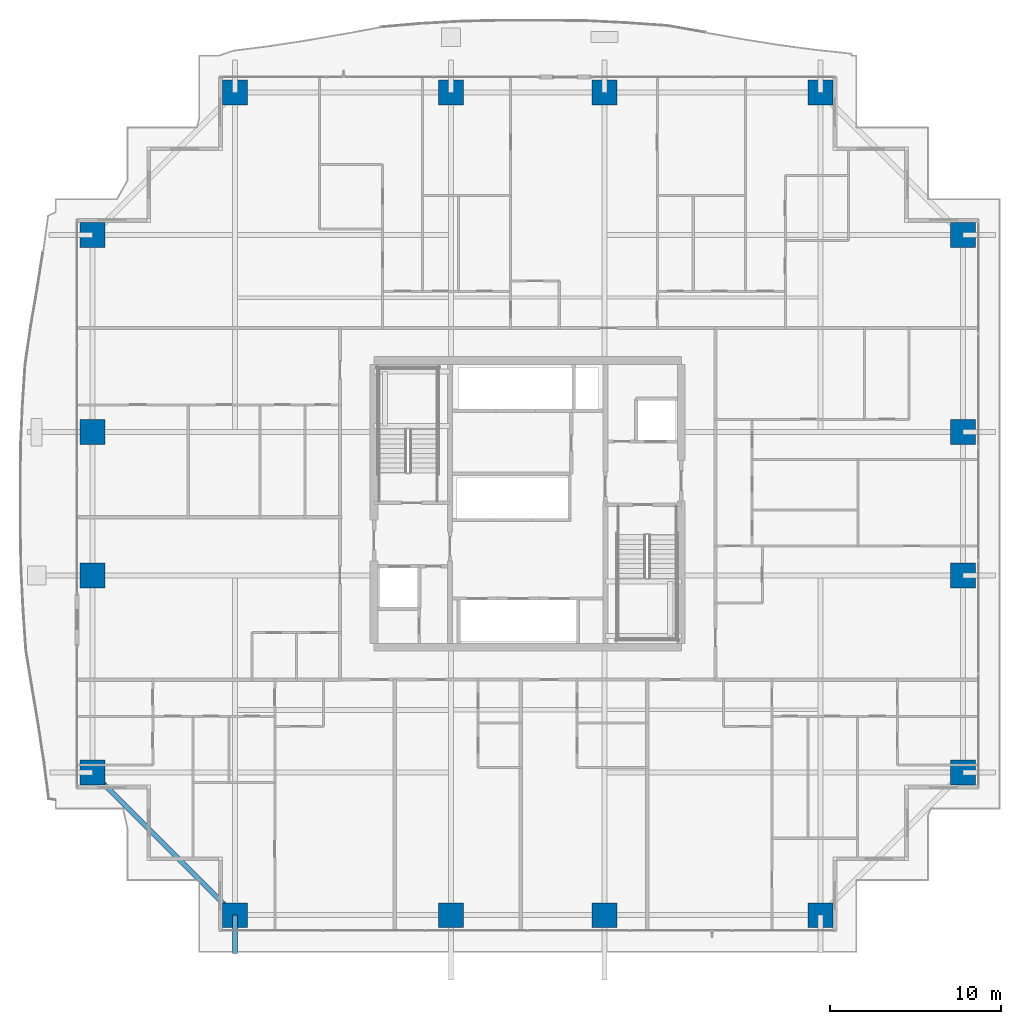
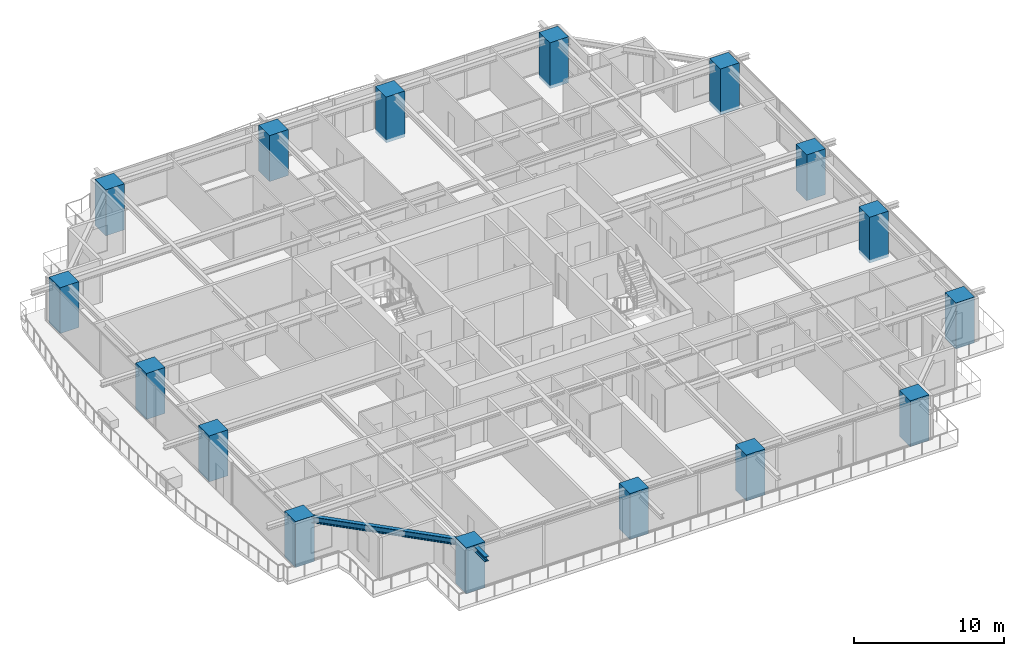
# One storey, part 1 of 36: 16 columns, 2 beams.
"""IFC4 building model written with IfcOpenShell, lengths in metres."""

from ifc_helpers import new_model, si_unit, direction, frame, origin, origin_2d, place, context, subcontext, project, spatial, rectangle, i_section, extrude, source, transform, mapped, material, material_profile, profile_set, type_object, element, save


model = new_model("IFC4")

# Units and contexts
model_context = context("Model", 3, precision=1e-05, world=origin(), true_north=direction((0.0, 1.0)))
body_context = subcontext(model_context, "Body", "Model", "MODEL_VIEW")
ifc_project = project(units=[si_unit("LENGTHUNIT", "METRE"), si_unit("AREAUNIT", "SQUARE_METRE"), si_unit("VOLUMEUNIT", "CUBIC_METRE"), si_unit("PLANEANGLEUNIT", "RADIAN"), si_unit("MASSUNIT", "GRAM", prefix="KILO")], contexts=[model_context])

# Site, building, storey
site_placement = place(None, origin())
site = spatial("IfcSite", under=ifc_project, at=site_placement, CompositionType="ELEMENT")
building_placement = place(site_placement, origin())
building = spatial("IfcBuilding", under=site, at=building_placement, Name="Serunith Strait Residences", CompositionType="ELEMENT")
storey_placement = place(building_placement, frame((0.0, 0.0, 86.699951171875)))
storey = spatial("IfcBuildingStorey", under=building, at=storey_placement, Name="L21", CompositionType="ELEMENT", Elevation=86.699951171875)

# Columns
ifc_material_1 = material(Name="Concrete C90/105", Category="concrete")
ifc_material_profile_1 = material_profile(ifc_material_1, rectangle(XDim=1.449951171875, YDim=1.449951171875, at=origin_2d()), Name="RC 1450x1450")
ifc_profile_set_1 = profile_set([ifc_material_profile_1], Name="Concrete C90/105")
column_type = type_object("IfcColumnType", Name="COL-RC-1450", PredefinedType="COLUMN", material=ifc_profile_set_1)
shared_shape_1 = source(origin(), body_context, "Body", "SweptSolid", [
    extrude(rectangle(XDim=1.449951171875, YDim=1.449951171875, at=origin_2d()), origin(), (0.0, 0.0, 1.0), 3.75),
])
for number, where, z_axis, x_axis, name in (
    (1, (15.25, 1.10009765625, -0.260009765625), (0.0, 0.0, 1.0), (1.0, 0.0, 0.0), "L21 Tower Mega-Column TC-S1"),
    (2, (27.89990234375, 1.10009765625, -0.260009765625), (0.0, 0.0, 1.0), (1.0, 0.0, 0.0), "L21 Tower Mega-Column TC-S2"),
    (3, (36.89990234375, 1.10009765625, -0.260009765625), (0.0, 0.0, 1.0), (1.0, 0.0, 0.0), "L21 Tower Mega-Column TC-S3"),
    (4, (49.550048828125, 1.10009765625, -0.260009765625), (0.0, 0.0, 1.0), (1.0, 0.0, 0.0), "L21 Tower Mega-Column TC-S4"),
    (5, (15.25, 49.300048828125, -0.260009765625), (0.0, 0.0, 1.0), (1.0, 0.0, 0.0), "L21 Tower Mega-Column TC-N1"),
    (6, (27.89990234375, 49.300048828125, -0.260009765625), (0.0, 0.0, 1.0), (1.0, 0.0, 0.0), "L21 Tower Mega-Column TC-N2"),
    (7, (36.89990234375, 49.300048828125, -0.260009765625), (0.0, 0.0, 1.0), (1.0, 0.0, 0.0), "L21 Tower Mega-Column TC-N3"),
    (8, (49.550048828125, 49.300048828125, -0.260009765625), (0.0, 0.0, 1.0), (1.0, 0.0, 0.0), "L21 Tower Mega-Column TC-N4"),
    (9, (57.89990234375, 9.449951171875, -0.260009765625), (0.0, 0.0, 1.0), (1.0, 0.0, 0.0), "L21 Tower Mega-Column TC-E1"),
    (10, (57.89990234375, 21.0, -0.260009765625), (0.0, 0.0, 1.0), (1.0, 0.0, 0.0), "L21 Tower Mega-Column TC-E2"),
    (11, (57.89990234375, 29.39990234375, -0.260009765625), (0.0, 0.0, 1.0), (1.0, 0.0, 0.0), "L21 Tower Mega-Column TC-E3"),
    (12, (57.89990234375, 40.949951171875, -0.260009765625), (0.0, 0.0, 1.0), (1.0, 0.0, 0.0), "L21 Tower Mega-Column TC-E4"),
    (13, (6.89990234375, 9.449951171875, -0.260009765625), (0.0, 0.0, 1.0), (1.0, 0.0, 0.0), "L21 Tower Mega-Column TC-W1"),
    (14, (6.89990234375, 21.0, -0.260009765625), (0.0, 0.0, 1.0), (1.0, 0.0, 0.0), "L21 Tower Mega-Column TC-W2"),
    (15, (6.89990234375, 29.39990234375, -0.260009765625), (0.0, 0.0, 1.0), (1.0, 0.0, 0.0), "L21 Tower Mega-Column TC-W3"),
    (16, (6.89990234375, 40.949951171875, -0.260009765625), (0.0, 0.0, 1.0), (1.0, 0.0, 0.0), "L21 Tower Mega-Column TC-W4"),
):
    element("IfcColumn", number, at=place(storey_placement, frame(where, z_axis=z_axis, x_axis=x_axis)), inside=storey, type_object=column_type, Name=name, PredefinedType="COLUMN", context=body_context, shape_type="MappedRepresentation", body=[
        mapped(shared_shape_1, transform((0.0, 0.0, 0.0), scale=1.0)),
    ])

# Beams
ifc_material_2 = material(Name="Steel S355J2", Category="steel")
ifc_material_profile_2 = material_profile(ifc_material_2, i_section(OverallWidth=0.300048828125, OverallDepth=0.5, WebThickness=0.014404296875, FlangeThickness=0.028076171875, FilletRadius=0.027099609375, at=origin_2d()), Name="HEB 500")
ifc_profile_set_2 = profile_set([ifc_material_profile_2], Name="Steel S355J2")
beam_type_1 = type_object("IfcBeamType", Name="BM-HEB500", PredefinedType="BEAM", material=ifc_profile_set_2)
shared_shape_2 = source(origin(), body_context, "Body", "SweptSolid", [
    extrude(i_section(OverallWidth=0.300048828125, OverallDepth=0.5, WebThickness=0.014404296875, FlangeThickness=0.028076171875, FilletRadius=0.027099609375, at=origin_2d()), origin(), (0.0, 0.0, 1.0), 11.80859375),
])
beam_1_placement = place(storey_placement, frame((6.89990234375, 9.449951171875, 3.20703125), z_axis=(0.707117118476, -0.707096443746, 0.0), x_axis=(0.707096443746, 0.707117118476, 0.0)))
element("IfcBeam", 17, at=beam_1_placement, inside=storey, type_object=beam_type_1, Name="L21 Perimeter Ring Beam 16", PredefinedType="BEAM", context=body_context, shape_type="MappedRepresentation", body=[
    mapped(shared_shape_2, transform((0.0, 0.0, 0.0), scale=1.0)),
])
ifc_material_profile_3 = material_profile(ifc_material_2, i_section(OverallWidth=0.300048828125, OverallDepth=0.39990234375, WebThickness=0.013427734375, FlangeThickness=0.02392578125, FilletRadius=0.027099609375, at=origin_2d()), Name="HEB 400")
ifc_profile_set_3 = profile_set([ifc_material_profile_3], Name="Steel S355J2")
beam_type_2 = type_object("IfcBeamType", Name="BM-HEB400", PredefinedType="BEAM", material=ifc_profile_set_3)
shared_shape_3 = source(origin(), body_context, "Body", "SweptSolid", [
    extrude(i_section(OverallWidth=0.300048828125, OverallDepth=0.39990234375, WebThickness=0.013427734375, FlangeThickness=0.02392578125, FilletRadius=0.027099609375, at=origin_2d()), origin(), (0.0, 0.0, 1.0), 2.2470703125),
])
beam_2_placement = place(storey_placement, frame((15.25, 1.10009765625, 3.257080078125), z_axis=(0.0, -1.0, 0.0), x_axis=(1.0, 0.0, 0.0)))
element("IfcBeam", 18, at=beam_2_placement, inside=storey, type_object=beam_type_2, Name="L22 Cantilevered Balcony Rib TC-S1", PredefinedType="BEAM", context=body_context, shape_type="MappedRepresentation", body=[
    mapped(shared_shape_3, transform((0.0, 0.0, 0.0), scale=1.0)),
])

save(model, "model.ifc")
